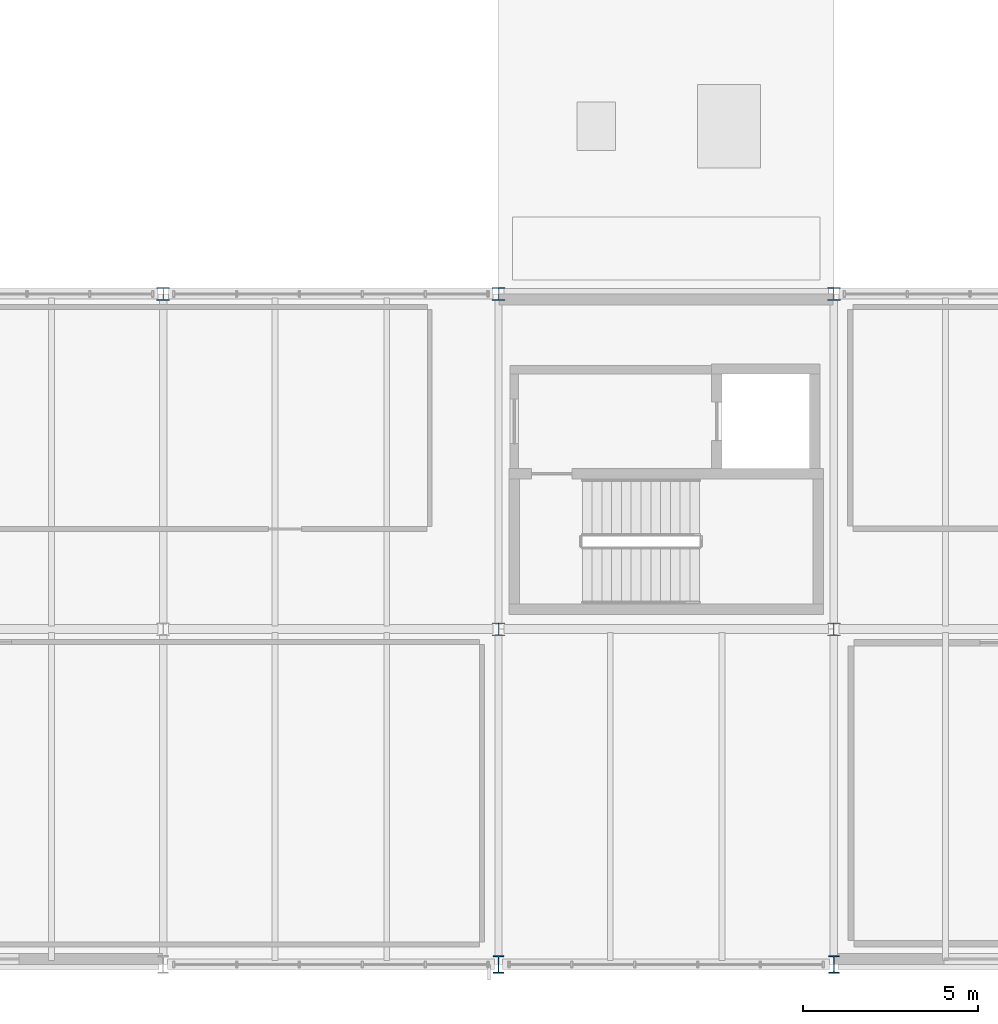
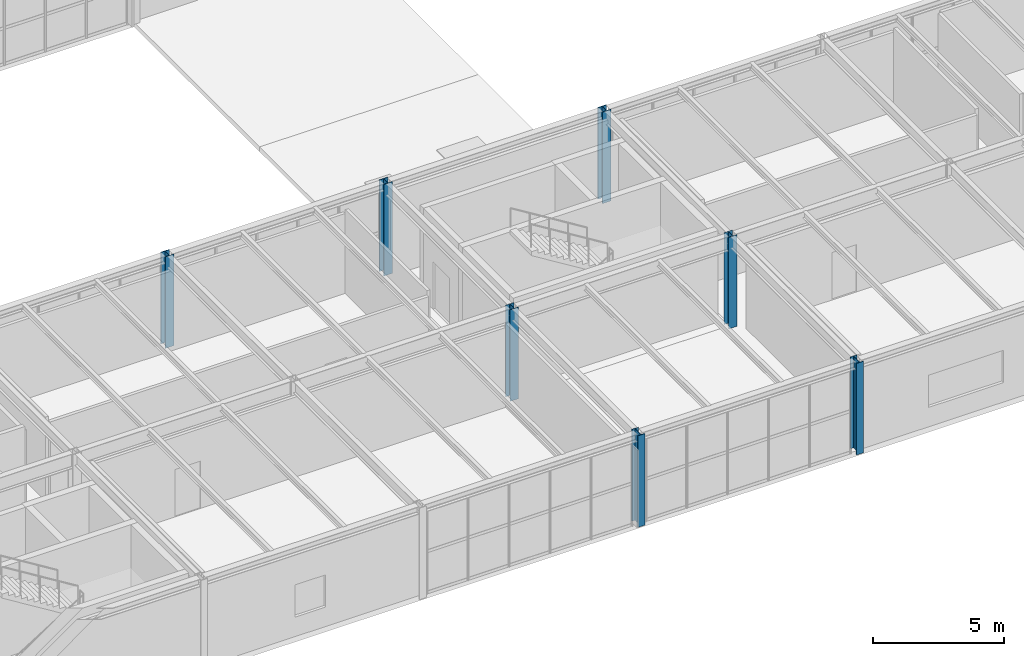
# One storey, part 2 of 170: 7 columns.
"""IFC4 building model written with IfcOpenShell, lengths in metres."""

from ifc_helpers import new_model, si_unit, direction, frame, origin, origin_2d, place, context, subcontext, project, spatial, i_section, extrude, material, material_profile, profile_set, type_object, element, save


model = new_model("IFC4")

# Units and contexts
model_context = context("Model", 3, precision=1e-05, world=origin(), true_north=direction((0.0, 1.0)))
body_context = subcontext(model_context, "Body", "Model", "MODEL_VIEW")
ifc_project = project(units=[si_unit("LENGTHUNIT", "METRE"), si_unit("AREAUNIT", "SQUARE_METRE"), si_unit("VOLUMEUNIT", "CUBIC_METRE"), si_unit("PLANEANGLEUNIT", "RADIAN"), si_unit("MASSUNIT", "GRAM", prefix="KILO")], contexts=[model_context])

# Site, building, storey
site_placement = place(None, origin())
site = spatial("IfcSite", under=ifc_project, at=site_placement, CompositionType="ELEMENT")
building_placement = place(site_placement, origin())
building = spatial("IfcBuilding", under=site, at=building_placement, Name="Coralgate Yard Interchange", CompositionType="ELEMENT")
storey_placement = place(building_placement, frame((0.0, 0.0, 6.0)))
storey = spatial("IfcBuildingStorey", under=building, at=storey_placement, Name="L01", CompositionType="ELEMENT", Elevation=6.0)

# Columns
ifc_material = material(Name="Structural steel S355J2", Category="steel")
ifc_material_profile_1 = material_profile(ifc_material, i_section(OverallWidth=0.300048828125, OverallDepth=0.5, WebThickness=0.014404296875, FlangeThickness=0.028076171875, FilletRadius=0.027099609375, at=origin_2d()), Name="HEB 500")
ifc_profile_set_1 = profile_set([ifc_material_profile_1], Name="Structural steel S355J2")
column_type_1 = type_object("IfcColumnType", Name="COL-SC-10", PredefinedType="COLUMN", material=ifc_profile_set_1)
for number, where, z_axis, x_axis, name in (
    (1, (48.0, 0.0, 0.0), (0.0, 0.0, 1.0), (1.0, 0.0, 0.0), "L01 structural column 5-0"),
    (2, (57.60009765625, 0.0, 0.0), (0.0, 0.0, 1.0), (1.0, 0.0, 0.0), "L01 structural column 6-0"),
):
    element("IfcColumn", number, at=place(storey_placement, frame(where, z_axis=z_axis, x_axis=x_axis)), inside=storey, type_object=column_type_1, Name=name, PredefinedType="COLUMN", context=body_context, shape_type="SweptSolid", body=[
        extrude(i_section(OverallWidth=0.300048828125, OverallDepth=0.5, WebThickness=0.014404296875, FlangeThickness=0.028076171875, FilletRadius=0.027099609375, at=origin_2d()), origin(), (0.0, 0.0, 1.0), 4.25),
    ])
ifc_material_profile_2 = material_profile(ifc_material, i_section(OverallWidth=0.37255859375, OverallDepth=0.3681640625, WebThickness=0.014404296875, FlangeThickness=0.023681640625, FilletRadius=0.01513671875, at=origin_2d()), Name="UC 356x368x177")
ifc_profile_set_2 = profile_set([ifc_material_profile_2], Name="Structural steel S355J2")
column_type_2 = type_object("IfcColumnType", Name="COL-SC-3", PredefinedType="COLUMN", material=ifc_profile_set_2)
for number, where, z_axis, x_axis, name in (
    (3, (38.39990234375, 19.199951171875, 0.0), (0.0, 0.0, 1.0), (1.0, 0.0, 0.0), "L01 structural column 4-2"),
    (4, (48.0, 9.60009765625, 0.0), (0.0, 0.0, 1.0), (1.0, 0.0, 0.0), "L01 structural column 5-1"),
    (5, (48.0, 19.199951171875, 0.0), (0.0, 0.0, 1.0), (1.0, 0.0, 0.0), "L01 structural column 5-2"),
    (6, (57.60009765625, 9.60009765625, 0.0), (0.0, 0.0, 1.0), (1.0, 0.0, 0.0), "L01 structural column 6-1"),
    (7, (57.60009765625, 19.199951171875, 0.0), (0.0, 0.0, 1.0), (1.0, 0.0, 0.0), "L01 structural column 6-2"),
):
    element("IfcColumn", number, at=place(storey_placement, frame(where, z_axis=z_axis, x_axis=x_axis)), inside=storey, type_object=column_type_2, Name=name, PredefinedType="COLUMN", context=body_context, shape_type="SweptSolid", body=[
        extrude(i_section(OverallWidth=0.37255859375, OverallDepth=0.3681640625, WebThickness=0.014404296875, FlangeThickness=0.023681640625, FilletRadius=0.01513671875, at=origin_2d()), origin(), (0.0, 0.0, 1.0), 4.25),
    ])

save(model, "model.ifc")
